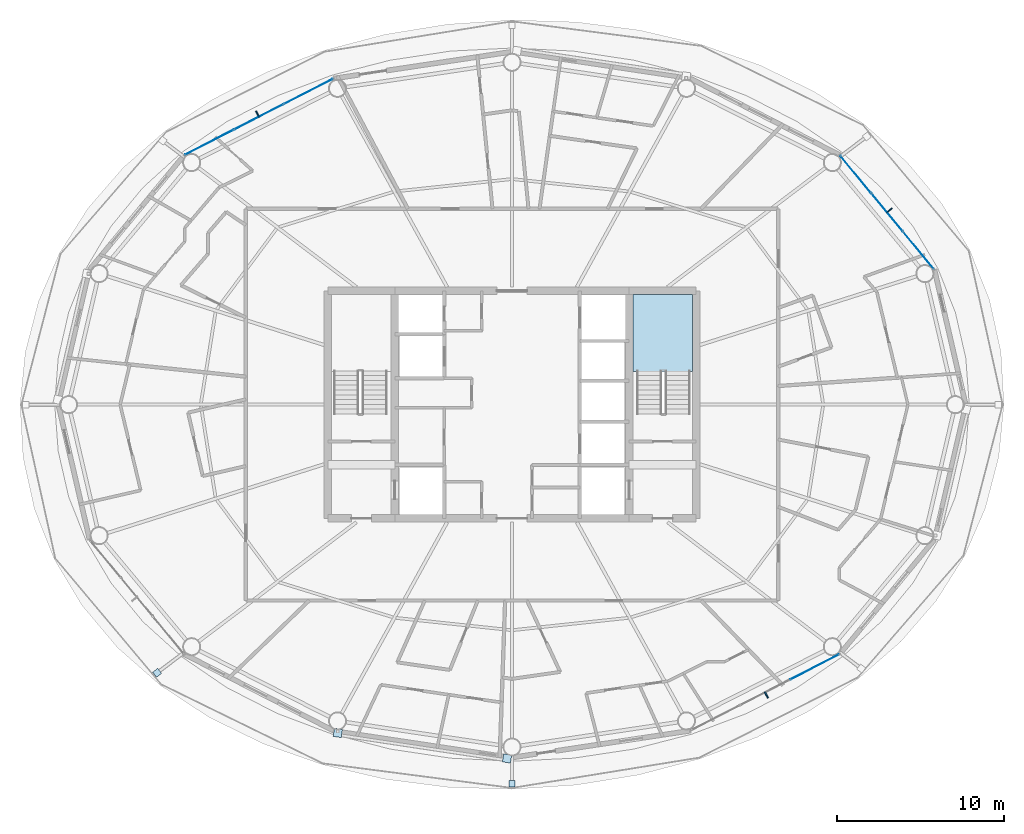
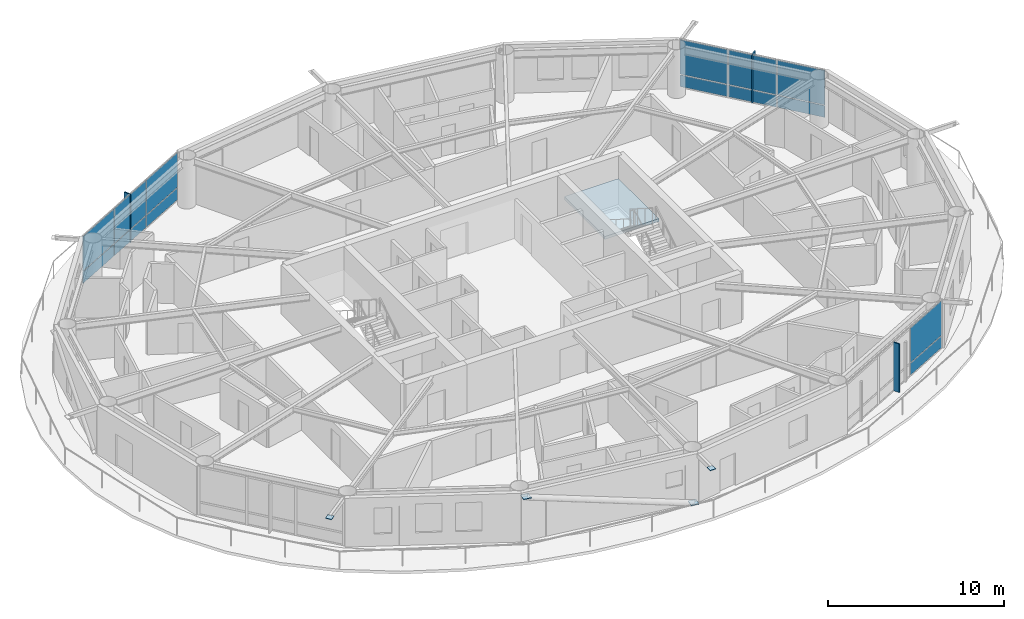
# One storey, part 18 of 27: 21 plates, 1 slab, 4 elements without a shape of their own.
"""IFC4 building model written with IfcOpenShell, lengths in metres."""

from ifc_helpers import new_model, si_unit, direction, frame, origin, origin_2d, place, context, subcontext, project, spatial, polyline, rectangle, outline, extrude, material, layer, layer_set, type_object, element, aggregate, save


model = new_model("IFC4")

# Units and contexts
model_context = context("Model", 3, precision=1e-05, world=origin(), true_north=direction((0.0, 1.0)))
body_context = subcontext(model_context, "Body", "Model", "MODEL_VIEW")
ifc_project = project(units=[si_unit("LENGTHUNIT", "METRE"), si_unit("AREAUNIT", "SQUARE_METRE"), si_unit("VOLUMEUNIT", "CUBIC_METRE"), si_unit("PLANEANGLEUNIT", "RADIAN"), si_unit("MASSUNIT", "GRAM", prefix="KILO")], contexts=[model_context])

# Site, building, storey
site_placement = place(None, origin())
site = spatial("IfcSite", under=ifc_project, at=site_placement, CompositionType="ELEMENT")
building_placement = place(site_placement, origin())
building = spatial("IfcBuilding", under=site, at=building_placement, Name="Sarneth Arch Tower", CompositionType="ELEMENT")
storey_placement = place(building_placement, frame((0.0, 0.0, 157.800048828125)))
storey = spatial("IfcBuildingStorey", under=building, at=storey_placement, Name="L39", CompositionType="ELEMENT", Elevation=157.800048828125)

# Curtain wall, plates
ifc_material_1 = material(Name="Anodised aluminium Type AA25 and solar-control low-e laminated IGU", Category="aluminium")
ifc_layer_1 = layer(ifc_material_1, 0.169921875)
ifc_layer_set_1 = layer_set([ifc_layer_1], Name="Anodised aluminium Type AA25 and solar-control low-e laminated IGU")
curtain_wall_type = type_object("IfcCurtainWallType", Name="CW-RES-MID", PredefinedType="NOTDEFINED", material=ifc_layer_set_1)
curtain_wall_1_placement = place(storey_placement, origin())
curtain_wall_1 = element("IfcCurtainWall", 1, at=curtain_wall_1_placement, inside=storey, type_object=curtain_wall_type, Name="L39 Unitised curtain wall facet 02", PredefinedType="NOTDEFINED")
ifc_material_2 = material(Name="Solar-control low-e laminated IGU", Category="glass")
ifc_layer_2 = layer(ifc_material_2, 0.028076171875)
ifc_layer_set_2 = layer_set([ifc_layer_2], Name="Solar-control low-e laminated IGU")
plate_type_1 = type_object("IfcPlateType", Name="CW-PANEL", PredefinedType="CURTAIN_PANEL", material=ifc_layer_set_2)
plate_1_placement = place(storey_placement, frame((72.280029296875, 51.21826171875, 0.059814453125), z_axis=(0.0, 0.0, 1.0), x_axis=(-0.637330298558, 0.770590741276, 0.0)))
plate_1 = element("IfcPlate", 2, at=plate_1_placement, type_object=plate_type_1, Name="Curtain wall glazed vision pane CW-L39-F02/P00-00", PredefinedType="CURTAIN_PANEL", context=body_context, shape_type="SweptSolid", body=[
    extrude(rectangle(XDim=2.8681640625, YDim=0.028076171875, at=origin_2d()), origin(), (0.0, 0.0, 1.0), 0.81005859375),
])
plate_2_placement = place(storey_placement, frame((72.280029296875, 51.21826171875, 0.93017578125), z_axis=(0.0, 0.0, 1.0), x_axis=(-0.637330298558, 0.770590741276, 0.0)))
plate_2 = element("IfcPlate", 3, at=plate_2_placement, type_object=plate_type_1, Name="Curtain wall glazed vision pane CW-L39-F02/P00-01", PredefinedType="CURTAIN_PANEL", context=body_context, shape_type="SweptSolid", body=[
    extrude(rectangle(XDim=2.8681640625, YDim=0.028076171875, at=origin_2d()), origin(), (0.0, 0.0, 1.0), 2.389892578125),
])
plate_3_placement = place(storey_placement, frame((70.404296875, 53.486328125, 0.059814453125), z_axis=(0.0, 0.0, 1.0), x_axis=(-0.637330298558, 0.770590741276, 0.0)))
plate_3 = element("IfcPlate", 4, at=plate_3_placement, type_object=plate_type_1, Name="Curtain wall glazed vision pane CW-L39-F02/P01-00", PredefinedType="CURTAIN_PANEL", context=body_context, shape_type="SweptSolid", body=[
    extrude(rectangle(XDim=2.898193359375, YDim=0.028076171875, at=origin_2d()), origin(), (0.0, 0.0, 1.0), 0.81005859375),
])
plate_4_placement = place(storey_placement, frame((70.404296875, 53.486328125, 0.93017578125), z_axis=(0.0, 0.0, 1.0), x_axis=(-0.637330298558, 0.770590741276, 0.0)))
plate_4 = element("IfcPlate", 5, at=plate_4_placement, type_object=plate_type_1, Name="Curtain wall glazed vision pane CW-L39-F02/P01-01", PredefinedType="CURTAIN_PANEL", context=body_context, shape_type="SweptSolid", body=[
    extrude(rectangle(XDim=2.898193359375, YDim=0.028076171875, at=origin_2d()), origin(), (0.0, 0.0, 1.0), 2.389892578125),
])
plate_5_placement = place(storey_placement, frame((68.5283203125, 55.75439453125, 0.059814453125), z_axis=(0.0, 0.0, 1.0), x_axis=(-0.637330298558, 0.770590741276, 0.0)))
plate_5 = element("IfcPlate", 6, at=plate_5_placement, type_object=plate_type_1, Name="Curtain wall glazed vision pane CW-L39-F02/P02-00", PredefinedType="CURTAIN_PANEL", context=body_context, shape_type="SweptSolid", body=[
    extrude(rectangle(XDim=2.8681640625, YDim=0.028076171875, at=origin_2d()), origin(), (0.0, 0.0, 1.0), 0.81005859375),
])
plate_6_placement = place(storey_placement, frame((68.5283203125, 55.75439453125, 0.93017578125), z_axis=(0.0, 0.0, 1.0), x_axis=(-0.637330298558, 0.770590741276, 0.0)))
plate_6 = element("IfcPlate", 7, at=plate_6_placement, type_object=plate_type_1, Name="Curtain wall glazed vision pane CW-L39-F02/P02-01", PredefinedType="CURTAIN_PANEL", context=body_context, shape_type="SweptSolid", body=[
    extrude(rectangle(XDim=2.8681640625, YDim=0.028076171875, at=origin_2d()), origin(), (0.0, 0.0, 1.0), 2.389892578125),
])
aggregate(curtain_wall_1, [plate_1, plate_2, plate_3, plate_4, plate_5, plate_6])

curtain_wall_2_placement = place(storey_placement, origin())
curtain_wall_2 = element("IfcCurtainWall", 8, at=curtain_wall_2_placement, inside=storey, type_object=curtain_wall_type, Name="L39 Unitised curtain wall facet 06", PredefinedType="NOTDEFINED")
plate_7_placement = place(storey_placement, frame((35.83837890625, 60.70703125, 0.059814453125), z_axis=(0.0, 0.0, 1.0), x_axis=(-0.88987293003, -0.456208470329, 0.0)))
plate_7 = element("IfcPlate", 9, at=plate_7_placement, type_object=plate_type_1, Name="Curtain wall glazed vision pane CW-L39-F06/P00-00", PredefinedType="CURTAIN_PANEL", context=body_context, shape_type="SweptSolid", body=[
    extrude(rectangle(XDim=3.248779296875, YDim=0.028076171875, at=origin_2d()), origin(), (0.0, 0.0, 1.0), 0.81005859375),
])
plate_8_placement = place(storey_placement, frame((35.83837890625, 60.70703125, 0.93017578125), z_axis=(0.0, 0.0, 1.0), x_axis=(-0.88987293003, -0.456208470329, 0.0)))
plate_8 = element("IfcPlate", 10, at=plate_8_placement, type_object=plate_type_1, Name="Curtain wall glazed vision pane CW-L39-F06/P00-01", PredefinedType="CURTAIN_PANEL", context=body_context, shape_type="SweptSolid", body=[
    extrude(rectangle(XDim=3.248779296875, YDim=0.028076171875, at=origin_2d()), origin(), (0.0, 0.0, 1.0), 2.389892578125),
])
plate_9_placement = place(storey_placement, frame((32.880615234375, 59.190673828125, 0.059814453125), z_axis=(0.0, 0.0, 1.0), x_axis=(-0.88987293003, -0.456208470329, 0.0)))
plate_9 = element("IfcPlate", 11, at=plate_9_placement, type_object=plate_type_1, Name="Curtain wall glazed vision pane CW-L39-F06/P01-00", PredefinedType="CURTAIN_PANEL", context=body_context, shape_type="SweptSolid", body=[
    extrude(rectangle(XDim=3.27880859375, YDim=0.028076171875, at=origin_2d()), origin(), (0.0, 0.0, 1.0), 0.81005859375),
])
plate_10_placement = place(storey_placement, frame((32.880615234375, 59.190673828125, 0.93017578125), z_axis=(0.0, 0.0, 1.0), x_axis=(-0.88987293003, -0.456208470329, 0.0)))
plate_10 = element("IfcPlate", 12, at=plate_10_placement, type_object=plate_type_1, Name="Curtain wall glazed vision pane CW-L39-F06/P01-01", PredefinedType="CURTAIN_PANEL", context=body_context, shape_type="SweptSolid", body=[
    extrude(rectangle(XDim=3.27880859375, YDim=0.028076171875, at=origin_2d()), origin(), (0.0, 0.0, 1.0), 2.389892578125),
])
plate_11_placement = place(storey_placement, frame((29.9228515625, 57.67431640625, 0.059814453125), z_axis=(0.0, 0.0, 1.0), x_axis=(-0.88987293003, -0.456208470329, 0.0)))
plate_11 = element("IfcPlate", 13, at=plate_11_placement, type_object=plate_type_1, Name="Curtain wall glazed vision pane CW-L39-F06/P02-00", PredefinedType="CURTAIN_PANEL", context=body_context, shape_type="SweptSolid", body=[
    extrude(rectangle(XDim=3.248779296875, YDim=0.028076171875, at=origin_2d()), origin(), (0.0, 0.0, 1.0), 0.81005859375),
])
plate_12_placement = place(storey_placement, frame((29.9228515625, 57.67431640625, 0.93017578125), z_axis=(0.0, 0.0, 1.0), x_axis=(-0.88987293003, -0.456208470329, 0.0)))
plate_12 = element("IfcPlate", 14, at=plate_12_placement, type_object=plate_type_1, Name="Curtain wall glazed vision pane CW-L39-F06/P02-01", PredefinedType="CURTAIN_PANEL", context=body_context, shape_type="SweptSolid", body=[
    extrude(rectangle(XDim=3.248779296875, YDim=0.028076171875, at=origin_2d()), origin(), (0.0, 0.0, 1.0), 2.389892578125),
])
aggregate(curtain_wall_2, [plate_7, plate_8, plate_9, plate_10, plate_11, plate_12])

curtain_wall_3_placement = place(storey_placement, origin())
curtain_wall_3 = element("IfcCurtainWall", 15, at=curtain_wall_3_placement, inside=storey, type_object=curtain_wall_type, Name="L39 Unitised curtain wall facet 14", PredefinedType="NOTDEFINED")
plate_13_placement = place(storey_placement, frame((66.0771484375, 26.32568359375, 0.059814453125), z_axis=(0.0, 0.0, 1.0), x_axis=(0.88987293003, 0.456208470329, 0.0)))
plate_13 = element("IfcPlate", 16, at=plate_13_placement, type_object=plate_type_1, Name="Curtain wall glazed vision pane CW-L39-F14/P02-00", PredefinedType="CURTAIN_PANEL", context=body_context, shape_type="SweptSolid", body=[
    extrude(rectangle(XDim=3.248779296875, YDim=0.028076171875, at=origin_2d()), origin(), (0.0, 0.0, 1.0), 0.81005859375),
])
plate_14_placement = place(storey_placement, frame((66.0771484375, 26.32568359375, 0.93017578125), z_axis=(0.0, 0.0, 1.0), x_axis=(0.88987293003, 0.456208470329, 0.0)))
plate_14 = element("IfcPlate", 17, at=plate_14_placement, type_object=plate_type_1, Name="Curtain wall glazed vision pane CW-L39-F14/P02-01", PredefinedType="CURTAIN_PANEL", context=body_context, shape_type="SweptSolid", body=[
    extrude(rectangle(XDim=3.248779296875, YDim=0.028076171875, at=origin_2d()), origin(), (0.0, 0.0, 1.0), 2.389892578125),
])
aggregate(curtain_wall_3, [plate_13, plate_14])

# Plates
ifc_material_3 = material(Name="Steel S355", Category="steel")
ifc_layer_3 = layer(ifc_material_3, 0.035888671875)
ifc_layer_set_3 = layer_set([ifc_layer_3], Name="Steel S355")
plate_type_2 = type_object("IfcPlateType", Name="PLT-GUSSET-30", PredefinedType="SHEET", material=ifc_layer_set_3)
plate_15_placement = place(storey_placement, frame((26.803466796875, 25.980712890625, 3.2021484375), z_axis=(0.0, 0.0, 1.0), x_axis=(-0.797794439539, -0.602929541689, 0.0)))
element("IfcPlate", 18, at=plate_15_placement, inside=storey, type_object=plate_type_2, Name="Steel end cap plate GP-1", PredefinedType="SHEET", context=body_context, shape_type="SweptSolid", body=[
    extrude(rectangle(XDim=0.3798828125, YDim=0.3798828125, at=origin_2d()), origin(), (0.0, 0.0, 1.0), 0.035888671875),
])
for number, where, z_axis, x_axis, name in (
    (19, (47.703369140625, 20.86474609375, 0.001953125), (0.0, 0.0, 1.0), (0.98883454203, -0.149017611339, 0.0), "Steel end cap plate GP-1"),
    (20, (37.595703125, 22.387451171875, 3.03271484375), (0.0, 0.0, 1.0), (0.98883454203, -0.149017611339, 0.0), "Steel end cap plate GP-1"),
):
    element("IfcPlate", number, at=place(storey_placement, frame(where, z_axis=z_axis, x_axis=x_axis)), inside=storey, type_object=plate_type_2, Name=name, PredefinedType="SHEET", context=body_context, shape_type="SweptSolid", body=[
        extrude(rectangle(XDim=0.486083984375, YDim=0.486083984375, at=origin_2d()), origin(), (0.0, 0.0, 1.0), 0.035888671875),
    ])
plate_16_placement = place(storey_placement, frame((48.0, 19.351806640625, 3.2021484375), z_axis=(0.0, 0.0, 1.0), x_axis=(0.0, -1.0, 0.0)))
element("IfcPlate", 21, at=plate_16_placement, inside=storey, type_object=plate_type_2, Name="Steel end cap plate GP-1", PredefinedType="SHEET", context=body_context, shape_type="SweptSolid", body=[
    extrude(rectangle(XDim=0.3798828125, YDim=0.3798828125, at=origin_2d()), origin(), (0.0, 0.0, 1.0), 0.035888671875),
])
ifc_material_4 = material(Name="Extruded glazed terracotta baguette fin on Aluminium 6063-T6 carrier", Category="masonry")
ifc_layer_4 = layer(ifc_material_4, 0.080078125)
ifc_layer_set_4 = layer_set([ifc_layer_4], Name="Extruded glazed terracotta baguette fin on Aluminium 6063-T6 carrier")
plate_type_3 = type_object("IfcPlateType", Name="SHADE-TERRA-FIN", PredefinedType="SHEET", material=ifc_layer_set_4)
for number, where, z_axis, x_axis, name in (
    (22, (70.53515625, 53.5947265625, 0.009765625), (0.0, 0.0, 1.0), (0.770624482513, 0.637289500111, 0.0), "L39 Terracotta vertical shading fin 02"),
    (23, (32.802978515625, 59.341796875, 0.009765625), (0.0, 0.0, 1.0), (-0.456166281949, 0.889894557357, 0.0), "L39 Terracotta vertical shading fin 06"),
    (24, (63.197021484375, 24.658203125, 0.009765625), (0.0, 0.0, 1.0), (0.456166281949, -0.889894557357, 0.0), "L39 Terracotta vertical shading fin 14"),
):
    element("IfcPlate", number, at=place(storey_placement, frame(where, z_axis=z_axis, x_axis=x_axis)), inside=storey, type_object=plate_type_3, Name=name, PredefinedType="SHEET", context=body_context, shape_type="SweptSolid", body=[
        extrude(rectangle(XDim=0.419921875, YDim=0.080078125, at=origin_2d()), origin(), (0.0, 0.0, 1.0), 3.360107421875),
    ])

# Stair, slab
ifc_material_5 = material(Name="Concrete C50/60", Category="concrete")
stair_type = type_object("IfcStairType", Name="STAIR-CORE-RC", PredefinedType="HALF_TURN_STAIR", material=ifc_material_5)
stair_placement = place(storey_placement, origin())
stair = element("IfcStair", 25, at=stair_placement, inside=storey, type_object=stair_type, Name="L39 Core Exit Stair 2", PredefinedType="HALF_TURN_STAIR")
ifc_material_6 = material(Name="Concrete C50/60", Category="concrete")
ifc_layer_5 = layer(ifc_material_6, 0.199951171875)
ifc_layer_set_5 = layer_set([ifc_layer_5], Name="Concrete C50/60")
slab_type = type_object("IfcSlabType", Name="SLAB-LANDING-200", PredefinedType="LANDING", material=ifc_layer_set_5)
slab_placement = place(storey_placement, frame((0.0, 0.0, 1.599853515625)))
slab = element("IfcSlab", 26, at=slab_placement, type_object=slab_type, Name="ST-2 landing 1", PredefinedType="LANDING", context=body_context, shape_type="SweptSolid", body=[
    extrude(outline(polyline([(55.22509765625, 43.985107421875), (58.77490234375, 43.985107421875), (58.77490234375, 48.574951171875), (55.22509765625, 48.574951171875), (55.22509765625, 43.985107421875)])), origin(), (0.0, 0.0, 1.0), 0.2001953125),
])
aggregate(stair, [slab])

save(model, "model.ifc")
